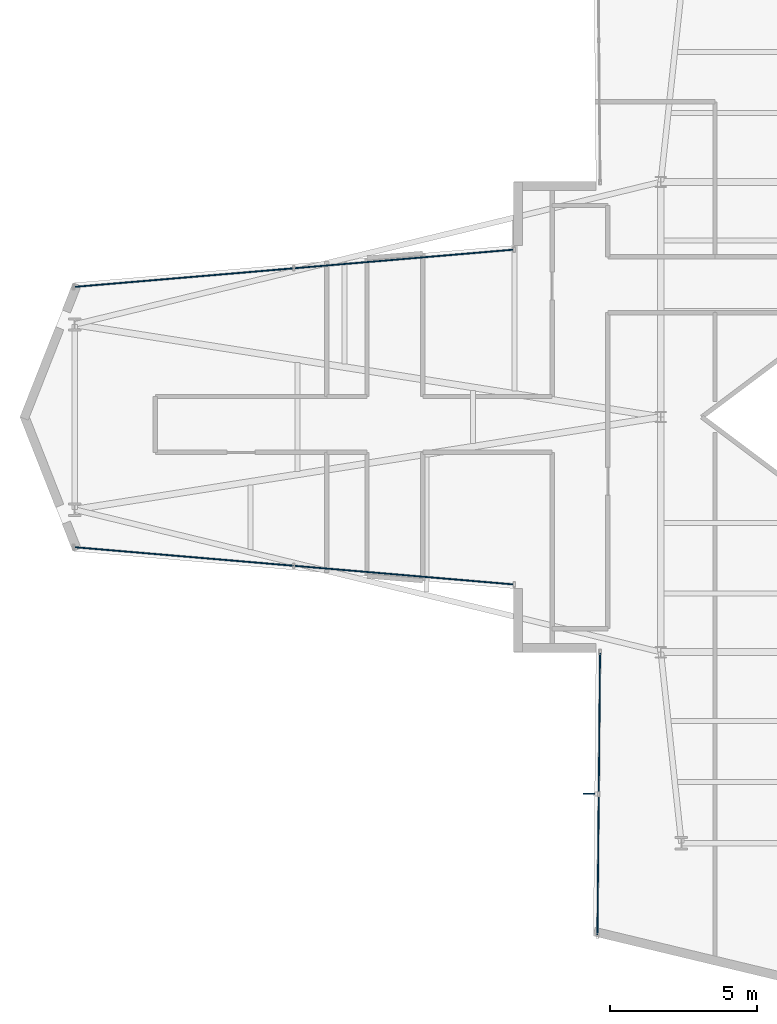
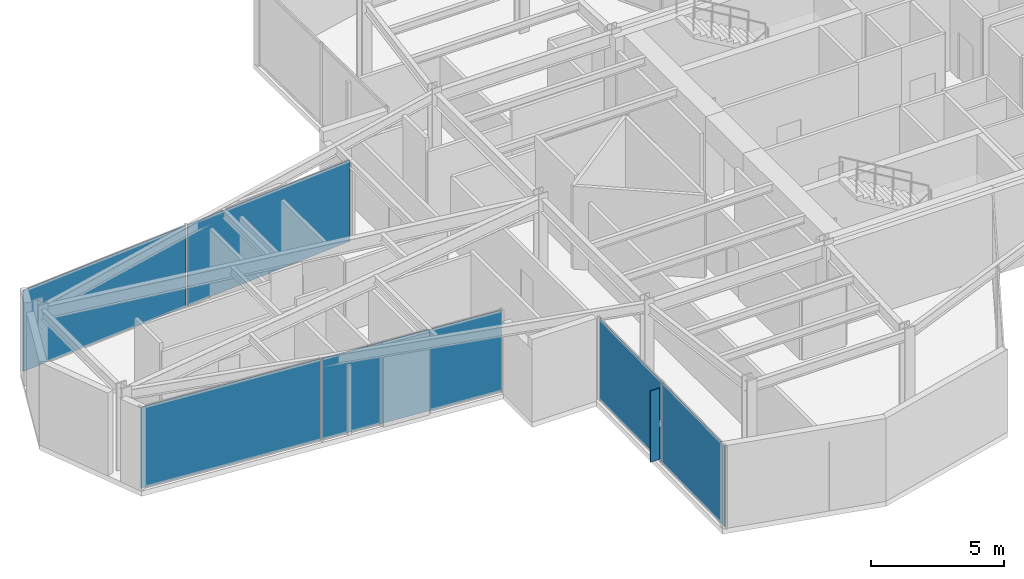
# One storey, part 19 of 25: 7 plates, 3 elements without a shape of their own.
"""IFC4 building model written with IfcOpenShell, lengths in metres."""

from ifc_helpers import new_model, si_unit, direction, frame, origin, origin_2d, place, context, subcontext, project, spatial, rectangle, extrude, material, layer, layer_set, type_object, element, aggregate, save


model = new_model("IFC4")

# Units and contexts
model_context = context("Model", 3, precision=1e-05, world=origin(), true_north=direction((0.0, 1.0)))
body_context = subcontext(model_context, "Body", "Model", "MODEL_VIEW")
ifc_project = project(units=[si_unit("LENGTHUNIT", "METRE"), si_unit("AREAUNIT", "SQUARE_METRE"), si_unit("VOLUMEUNIT", "CUBIC_METRE"), si_unit("PLANEANGLEUNIT", "RADIAN"), si_unit("MASSUNIT", "GRAM", prefix="KILO")], contexts=[model_context])

# Site, building, storey
site_placement = place(None, origin())
site = spatial("IfcSite", under=ifc_project, at=site_placement, CompositionType="ELEMENT")
building_placement = place(site_placement, origin())
building = spatial("IfcBuilding", under=site, at=building_placement, Name="Veymaron Broadcast Tower", CompositionType="ELEMENT")
storey_placement = place(building_placement, frame((0.0, 0.0, 141.14990234375)))
storey = spatial("IfcBuildingStorey", under=building, at=storey_placement, Name="L32", CompositionType="ELEMENT", Elevation=141.14990234375)

# Curtain wall, plates
ifc_material_1 = material(Name="Anodised aluminium AA 6063-T6 and laminated low-E dark glass", Category="aluminium")
ifc_layer_1 = layer(ifc_material_1, 0.179931640625)
ifc_layer_set_1 = layer_set([ifc_layer_1], Name="Anodised aluminium AA 6063-T6 and laminated low-E dark glass")
curtain_wall_type = type_object("IfcCurtainWallType", Name="CW-SYS-03", PredefinedType="NOTDEFINED", material=ifc_layer_set_1)
curtain_wall_1_placement = place(storey_placement, origin())
curtain_wall_1 = element("IfcCurtainWall", 1, at=curtain_wall_1_placement, inside=storey, type_object=curtain_wall_type, Name="L32 dark-glass curtain wall CW-L32-E11-1", PredefinedType="NOTDEFINED")
ifc_material_2 = material(Name="Insulated dark-anodised aluminium spandrel panel 40 mm", Category="aluminium")
ifc_layer_2 = layer(ifc_material_2, 0.0400390625)
ifc_layer_set_2 = layer_set([ifc_layer_2], Name="Insulated dark-anodised aluminium spandrel panel 40 mm")
plate_type_1 = type_object("IfcPlateType", Name="CW-PNL-03", PredefinedType="CURTAIN_PANEL", material=ifc_layer_set_2)
plate_1_placement = place(storey_placement, frame((22.4619140625, 29.38037109375, 0.0400390625), z_axis=(0.0, 0.0, 1.0), x_axis=(-0.996422407783, -0.084512633776, 0.0)))
plate_1 = element("IfcPlate", 2, at=plate_1_placement, type_object=plate_type_1, Name="CW-L32-E11-1 unitised curtain panel 0", PredefinedType="CURTAIN_PANEL", context=body_context, shape_type="SweptSolid", body=[
    extrude(rectangle(XDim=7.466796875, YDim=0.0400390625, at=origin_2d()), origin(), (0.0, 0.0, 1.0), 3.72998046875),
])
plate_2_placement = place(storey_placement, frame((14.9619140625, 28.744384765625, 0.0400390625), z_axis=(0.0, 0.0, 1.0), x_axis=(-0.996422407783, -0.084512633776, 0.0)))
plate_2 = element("IfcPlate", 3, at=plate_2_placement, type_object=plate_type_1, Name="CW-L32-E11-1 unitised curtain panel 1", PredefinedType="CURTAIN_PANEL", context=body_context, shape_type="SweptSolid", body=[
    extrude(rectangle(XDim=7.466796875, YDim=0.0400390625, at=origin_2d()), origin(), (0.0, 0.0, 1.0), 3.72998046875),
])
aggregate(curtain_wall_1, [plate_1, plate_2])

curtain_wall_2_placement = place(storey_placement, origin())
curtain_wall_2 = element("IfcCurtainWall", 4, at=curtain_wall_2_placement, inside=storey, type_object=curtain_wall_type, Name="L32 dark-glass curtain wall CW-L32-E14-1", PredefinedType="NOTDEFINED")
plate_3_placement = place(storey_placement, frame((14.9619140625, 19.255615234375, 0.0400390625), z_axis=(0.0, 0.0, 1.0), x_axis=(0.996422407783, -0.084512633776, 0.0)))
plate_3 = element("IfcPlate", 5, at=plate_3_placement, type_object=plate_type_1, Name="CW-L32-E14-1 unitised curtain panel 0", PredefinedType="CURTAIN_PANEL", context=body_context, shape_type="SweptSolid", body=[
    extrude(rectangle(XDim=7.466796875, YDim=0.0400390625, at=origin_2d()), origin(), (0.0, 0.0, 1.0), 3.72998046875),
])
plate_4_placement = place(storey_placement, frame((22.4619140625, 18.61962890625, 0.0400390625), z_axis=(0.0, 0.0, 1.0), x_axis=(0.996422407783, -0.084512633776, 0.0)))
plate_4 = element("IfcPlate", 6, at=plate_4_placement, type_object=plate_type_1, Name="CW-L32-E14-1 unitised curtain panel 1", PredefinedType="CURTAIN_PANEL", context=body_context, shape_type="SweptSolid", body=[
    extrude(rectangle(XDim=7.466796875, YDim=0.0400390625, at=origin_2d()), origin(), (0.0, 0.0, 1.0), 3.72998046875),
])
aggregate(curtain_wall_2, [plate_3, plate_4])

curtain_wall_3_placement = place(storey_placement, origin())
curtain_wall_3 = element("IfcCurtainWall", 7, at=curtain_wall_3_placement, inside=storey, type_object=curtain_wall_type, Name="L32 dark-glass curtain wall CW-L32-E17-1", PredefinedType="NOTDEFINED")
plate_5_placement = place(storey_placement, frame((29.10986328125, 13.586181640625, 0.0400390625), z_axis=(0.0, 0.0, 1.0), x_axis=(-0.009354828341, -0.999956242636, 0.0)))
plate_5 = element("IfcPlate", 8, at=plate_5_placement, type_object=plate_type_1, Name="CW-L32-E17-1 unitised curtain panel 0", PredefinedType="CURTAIN_PANEL", context=body_context, shape_type="SweptSolid", body=[
    extrude(rectangle(XDim=4.76513671875, YDim=0.0400390625, at=origin_2d()), origin(), (0.0, 0.0, 1.0), 3.72998046875),
])
plate_6_placement = place(storey_placement, frame((29.064697265625, 8.76123046875, 0.0400390625), z_axis=(0.0, 0.0, 1.0), x_axis=(-0.009354828341, -0.999956242636, 0.0)))
plate_6 = element("IfcPlate", 9, at=plate_6_placement, type_object=plate_type_1, Name="CW-L32-E17-1 unitised curtain panel 1", PredefinedType="CURTAIN_PANEL", context=body_context, shape_type="SweptSolid", body=[
    extrude(rectangle(XDim=4.76513671875, YDim=0.0400390625, at=origin_2d()), origin(), (0.0, 0.0, 1.0), 3.72998046875),
])
aggregate(curtain_wall_3, [plate_5, plate_6])

# Plate
ifc_material_3 = material(Name="Dark-anodised aluminium AA 6061-T6", Category="aluminium")
ifc_layer_3 = layer(ifc_material_3, 0.031982421875)
ifc_layer_set_3 = layer_set([ifc_layer_3], Name="Dark-anodised aluminium AA 6061-T6")
plate_type_2 = type_object("IfcPlateType", Name="FIN-CHEV-03", PredefinedType="USERDEFINED", material=ifc_layer_set_3)
plate_7_placement = place(storey_placement, frame((28.75732421875, 11.1767578125, 0.2666015625), z_axis=(0.0, 0.0, 1.0), x_axis=(-0.999956242636, 0.009354828341, 0.0)))
element("IfcPlate", 10, at=plate_7_placement, inside=storey, type_object=plate_type_2, Name="CW-L32-E17-1 chevron fin 1", ObjectType="FIN", PredefinedType="USERDEFINED", context=body_context, shape_type="SweptSolid", body=[
    extrude(rectangle(XDim=0.39990234375, YDim=0.034912109375, at=origin_2d()), origin(), (0.0, 0.0, 1.0), 3.276611328125),
])

save(model, "model.ifc")
